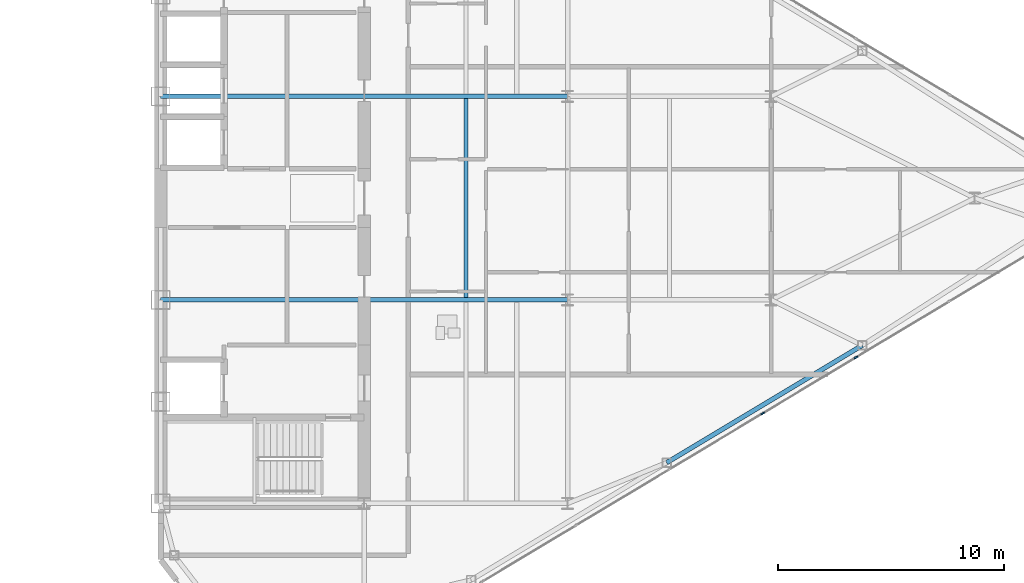
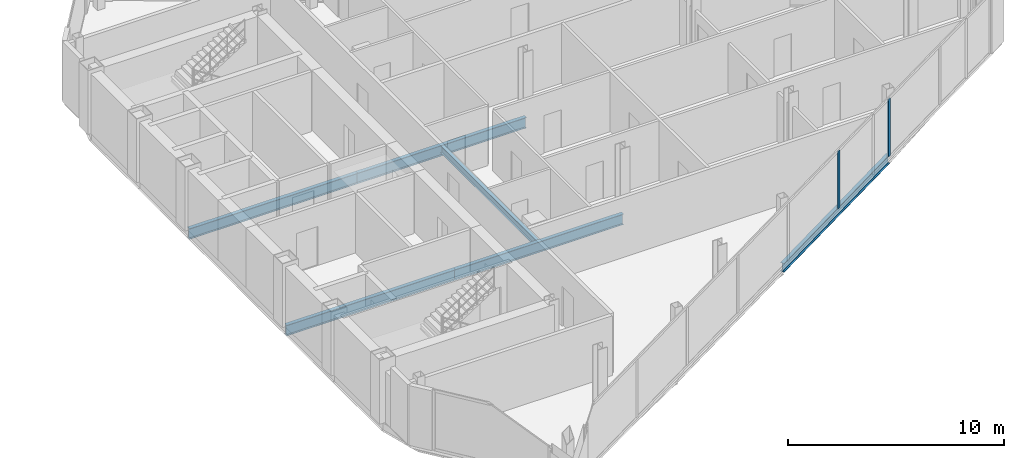
# One storey, part 13 of 26: 6 beams, 2 members, 1 element without a shape of its own.
"""IFC4 building model written with IfcOpenShell, lengths in metres."""

from ifc_helpers import new_model, si_unit, direction, frame, origin, origin_2d, place, context, subcontext, project, spatial, rectangle, i_section, extrude, source, transform, mapped, material, layer, layer_set, material_profile, profile_set, type_object, type_shapes, element, aggregate, save


model = new_model("IFC4")

# Units and contexts
model_context = context("Model", 3, precision=1e-05, world=origin(), true_north=direction((0.0, 1.0)))
body_context = subcontext(model_context, "Body", "Model", "MODEL_VIEW")
ifc_project = project(units=[si_unit("LENGTHUNIT", "METRE"), si_unit("AREAUNIT", "SQUARE_METRE"), si_unit("VOLUMEUNIT", "CUBIC_METRE"), si_unit("PLANEANGLEUNIT", "RADIAN"), si_unit("MASSUNIT", "GRAM", prefix="KILO")], contexts=[model_context])

# Site, building, storey
site_placement = place(None, origin())
site = spatial("IfcSite", under=ifc_project, at=site_placement, CompositionType="ELEMENT")
building_placement = place(site_placement, origin())
building = spatial("IfcBuilding", under=site, at=building_placement, Name="Seokmaru Belvedere", CompositionType="ELEMENT")
storey_placement = place(building_placement, frame((0.0, 0.0, 199.5)))
storey = spatial("IfcBuildingStorey", under=building, at=storey_placement, Name="L53", CompositionType="ELEMENT", Elevation=199.5)

# Beams
ifc_material_1 = material(Name="Steel SM355 (355 MPa)", Category="steel")
ifc_material_profile_1 = material_profile(ifc_material_1, i_section(OverallWidth=0.199951171875, OverallDepth=0.60009765625, WebThickness=0.010986328125, FlangeThickness=0.01708984375, at=origin_2d()), Name="H-600x200x11x17")
ifc_profile_set_1 = profile_set([ifc_material_profile_1], Name="Steel SM355 (355 MPa)")
beam_type_1 = type_object("IfcBeamType", Name="Primary Floor Girder H-600", PredefinedType="BEAM", material=ifc_profile_set_1)
shared_shape_1 = source(origin(), body_context, "Body", "SweptSolid", [
    extrude(i_section(OverallWidth=0.199951171875, OverallDepth=0.60009765625, WebThickness=0.010986328125, FlangeThickness=0.01708984375, at=origin_2d()), origin(), (0.0, 0.0, 1.0), 9.0),
])
type_shapes(beam_type_1, [shared_shape_1])
for number, where, z_axis, x_axis, name in (
    (1, (27.5, -4.5, -0.52001953125), (1.0, 0.0, 0.0), (0.0, 1.0, 0.0), "L53 E Core Tie Girder 2"),
    (2, (36.5, -4.5, -0.52001953125), (1.0, 0.0, 0.0), (0.0, 1.0, 0.0), "L53 E Wing Primary Girder 2"),
    (3, (27.5, 4.5, -0.52001953125), (1.0, 0.0, 0.0), (0.0, 1.0, 0.0), "L53 E Core Tie Girder 3"),
    (4, (36.5, 4.5, -0.52001953125), (1.0, 0.0, 0.0), (0.0, 1.0, 0.0), "L53 E Wing Primary Girder 3"),
):
    element("IfcBeam", number, at=place(storey_placement, frame(where, z_axis=z_axis, x_axis=x_axis)), inside=storey, type_object=beam_type_1, Name=name, PredefinedType="BEAM", context=body_context, shape_type="MappedRepresentation", body=[
        mapped(shared_shape_1, transform((0.0, 0.0, 0.0), scale=1.0)),
    ])
ifc_material_profile_2 = material_profile(ifc_material_1, i_section(OverallWidth=0.18505859375, OverallDepth=0.389892578125, WebThickness=0.008056640625, FlangeThickness=0.011962890625, at=origin_2d()), Name="H-390x185x8x12")
ifc_profile_set_2 = profile_set([ifc_material_profile_2], Name="Steel SM355 (355 MPa)")
beam_type_2 = type_object("IfcBeamType", Name="Secondary Floor Joist H-350", PredefinedType="JOIST", material=ifc_profile_set_2)
shared_shape_2 = source(origin(), body_context, "Body", "SweptSolid", [
    extrude(i_section(OverallWidth=0.18505859375, OverallDepth=0.389892578125, WebThickness=0.008056640625, FlangeThickness=0.011962890625, at=origin_2d()), origin(), (0.0, 0.0, 1.0), 8.7900390625),
])
type_shapes(beam_type_2, [shared_shape_2])
beam_1_placement = place(storey_placement, frame((41.0, -4.39501953125, -0.4150390625), z_axis=(0.0, 1.0, 0.0), x_axis=(-1.0, 0.0, 0.0)))
element("IfcBeam", 5, at=beam_1_placement, inside=storey, type_object=beam_type_2, Name="L53 E Secondary Floor Joist 2", PredefinedType="JOIST", context=body_context, shape_type="MappedRepresentation", body=[
    mapped(shared_shape_2, transform((0.0, 0.0, 0.0), scale=1.0)),
])
ifc_material_profile_3 = material_profile(ifc_material_1, i_section(OverallWidth=0.199951171875, OverallDepth=0.5, WebThickness=0.010009765625, FlangeThickness=0.01611328125, at=origin_2d()), Name="H-500x200x10x16")
ifc_profile_set_3 = profile_set([ifc_material_profile_3], Name="Steel SM355 (355 MPa)")
beam_type_3 = type_object("IfcBeamType", Name="Perimeter Spandrel Beam H-500", PredefinedType="SPANDREL", material=ifc_profile_set_3)
shared_shape_3 = source(origin(), body_context, "Body", "SweptSolid", [
    extrude(i_section(OverallWidth=0.199951171875, OverallDepth=0.5, WebThickness=0.010009765625, FlangeThickness=0.01611328125, at=origin_2d()), origin(), (0.0, 0.0, 1.0), 10.087646484375),
])
type_shapes(beam_type_3, [shared_shape_3])
beam_2_placement = place(storey_placement, frame((49.8798828125, -11.698974609375, -0.469970703125), z_axis=(0.857488654804, 0.514502873542, 0.0), x_axis=(-0.514502873542, 0.857488654804, 0.0)))
element("IfcBeam", 6, at=beam_2_placement, inside=storey, type_object=beam_type_3, Name="L53 E Faceted Flank Spandrel S-3", PredefinedType="SPANDREL", context=body_context, shape_type="MappedRepresentation", body=[
    mapped(shared_shape_3, transform((0.0, 0.0, 0.0), scale=1.0)),
])

# Curtain wall, members
ifc_material_2 = material(Name="Bronze Triple Insulating Glass", Category="glass")
ifc_layer = layer(ifc_material_2, 0.179931640625)
ifc_layer_set = layer_set([ifc_layer], Name="Bronze Triple Insulating Glass")
curtain_wall_type = type_object("IfcCurtainWallType", Name="High-Rise Wind-Corner Curtain Wall System CW-5", PredefinedType="NOTDEFINED", material=ifc_layer_set)
curtain_wall_placement = place(storey_placement, origin())
curtain_wall = element("IfcCurtainWall", 7, at=curtain_wall_placement, inside=storey, type_object=curtain_wall_type, Name="L53 Curtain Wall EF1", PredefinedType="NOTDEFINED")
ifc_material_3 = material(Name="Anodised Bronze Aluminium", Category="aluminium")
ifc_material_profile_4 = material_profile(ifc_material_3, rectangle(XDim=0.06494140625, YDim=0.179931640625, at=origin_2d()), Name="CW-M-65x180")
ifc_profile_set_4 = profile_set([ifc_material_profile_4], Name="Anodised Bronze Aluminium")
member_type = type_object("IfcMemberType", Name="Bronze Unitised Mullion 65x180", PredefinedType="MULLION", material=ifc_profile_set_4)
shared_shape_4 = source(origin(), body_context, "Body", "SweptSolid", [
    extrude(rectangle(XDim=0.06494140625, YDim=0.179931640625, at=origin_2d()), origin(), (0.0, 0.0, 1.0), 3.25),
])
type_shapes(member_type, [shared_shape_4])
member_1_placement = place(storey_placement, frame((54.12841796875, -9.52294921875, 0.06494140625), z_axis=(0.0, 0.0, 1.0), x_axis=(-0.514494909364, 0.85749343335, 0.0)))
member_1 = element("IfcMember", 8, at=member_1_placement, type_object=member_type, Name="CW:L53:EF1 Mullion 6", PredefinedType="MULLION", context=body_context, shape_type="MappedRepresentation", body=[
    mapped(shared_shape_4, transform((0.0, 0.0, 0.0), scale=1.0)),
])
member_2_placement = place(storey_placement, frame((58.257080078125, -7.0458984375, 0.06494140625), z_axis=(0.0, 0.0, 1.0), x_axis=(-0.514494909364, 0.85749343335, 0.0)))
member_2 = element("IfcMember", 9, at=member_2_placement, type_object=member_type, Name="CW:L53:EF1 Mullion 7", PredefinedType="MULLION", context=body_context, shape_type="MappedRepresentation", body=[
    mapped(shared_shape_4, transform((0.0, 0.0, 0.0), scale=1.0)),
])
aggregate(curtain_wall, [member_1, member_2])

save(model, "model.ifc")
